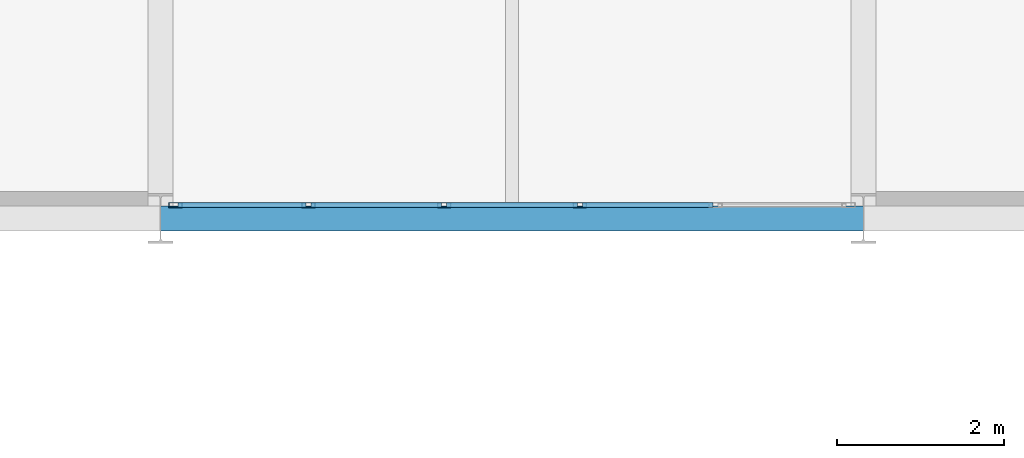
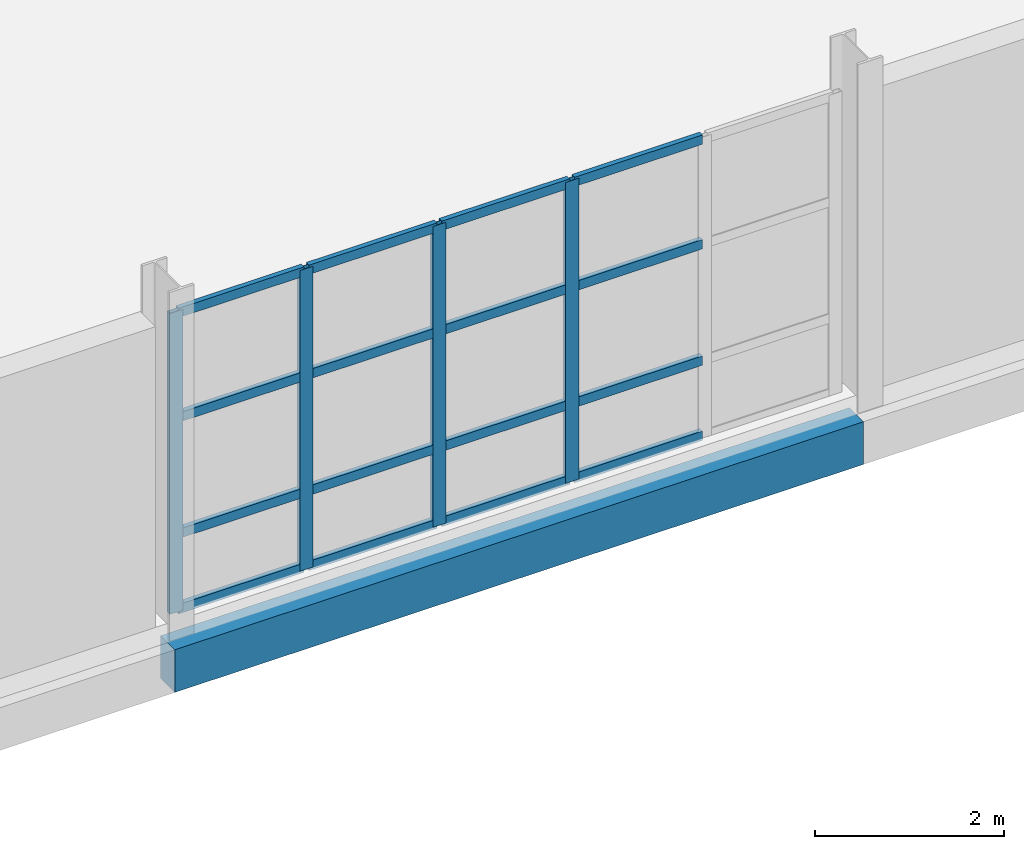
# One storey, part 62 of 109: 20 members, 1 beam, 1 element without a shape of its own.
"""IFC4 building model written with IfcOpenShell, lengths in metres."""

from ifc_helpers import new_model, si_unit, direction, frame, origin, origin_2d, place, context, subcontext, project, spatial, rectangle, hollow_rectangle, extrude, material, material_profile, profile_set, type_object, element, aggregate, save


model = new_model("IFC4")

# Units and contexts
model_context = context("Model", 3, precision=1e-05, world=origin(), true_north=direction((0.0, 1.0)))
body_context = subcontext(model_context, "Body", "Model", "MODEL_VIEW")
ifc_project = project(units=[si_unit("LENGTHUNIT", "METRE"), si_unit("AREAUNIT", "SQUARE_METRE"), si_unit("VOLUMEUNIT", "CUBIC_METRE"), si_unit("PLANEANGLEUNIT", "RADIAN"), si_unit("MASSUNIT", "GRAM", prefix="KILO")], contexts=[model_context])

# Site, building, storey
site_placement = place(None, origin())
site = spatial("IfcSite", under=ifc_project, at=site_placement, CompositionType="ELEMENT")
building_placement = place(site_placement, origin())
building = spatial("IfcBuilding", under=site, at=building_placement, Name="Veltarok Museum of Natural Sciences", CompositionType="ELEMENT")
storey_placement = place(building_placement, frame((0.0, 0.0, 17.39990234375)))
storey = spatial("IfcBuildingStorey", under=building, at=storey_placement, Name="L03", CompositionType="ELEMENT", Elevation=17.39990234375)

# Curtain wall, members
ifc_material_1 = material(Name="Low-iron triple insulated glass", Category="glass")
curtain_wall_type = type_object("IfcCurtainWallType", Name="Curtain Wall System CW-V5S-L03-16-810x388 (V5 South Lab Curtain Wall L03 16-17 810x388cm)", PredefinedType="NOTDEFINED", material=ifc_material_1)
curtain_wall_placement = place(storey_placement, origin())
curtain_wall = element("IfcCurtainWall", 1, at=curtain_wall_placement, inside=storey, type_object=curtain_wall_type, Name="Curtain Wall CW-V5S-L03-16-810x388 CW-0094", PredefinedType="NOTDEFINED")
ifc_material_2 = material(Name="Thermally broken anodised aluminium", Category="aluminium")
ifc_material_profile_1 = material_profile(ifc_material_2, hollow_rectangle(XDim=0.06005859375, YDim=0.1201171875, WallThickness=0.0048828125, at=origin_2d()), Name="CW TRANSOM 60x120x5")
ifc_profile_set_1 = profile_set([ifc_material_profile_1], Name="Thermally broken anodised aluminium")
member_type_1 = type_object("IfcMemberType", Name="Curtain Wall Horizontal Transom 60x120x5", PredefinedType="USERDEFINED", material=ifc_profile_set_1)
member_1_placement = place(storey_placement, frame((132.610107421875, 0.159912109375, 0.030029296875), z_axis=(1.0, 0.0, 0.0), x_axis=(0.0, 1.0, 0.0)))
member_1 = element("IfcMember", 2, at=member_1_placement, type_object=member_type_1, Name="CW-V5S-L03-16-810x388 transom 1.1", ObjectType="TRANSOM", PredefinedType="USERDEFINED", context=body_context, shape_type="SweptSolid", body=[
    extrude(hollow_rectangle(XDim=0.06005859375, YDim=0.1201171875, WallThickness=0.0048828125, at=origin_2d()), origin(), (0.0, 0.0, 1.0), 1.52978515625),
])
member_2_placement = place(storey_placement, frame((132.610107421875, 0.159912109375, 1.0), z_axis=(1.0, 0.0, 0.0), x_axis=(0.0, 1.0, 0.0)))
member_2 = element("IfcMember", 3, at=member_2_placement, type_object=member_type_1, Name="CW-V5S-L03-16-810x388 transom 1.2", ObjectType="TRANSOM", PredefinedType="USERDEFINED", context=body_context, shape_type="SweptSolid", body=[
    extrude(hollow_rectangle(XDim=0.06005859375, YDim=0.1201171875, WallThickness=0.0048828125, at=origin_2d()), origin(), (0.0, 0.0, 1.0), 1.52978515625),
])
member_3_placement = place(storey_placement, frame((132.610107421875, 0.159912109375, 2.5), z_axis=(1.0, 0.0, 0.0), x_axis=(0.0, 1.0, 0.0)))
member_3 = element("IfcMember", 4, at=member_3_placement, type_object=member_type_1, Name="CW-V5S-L03-16-810x388 transom 1.3", ObjectType="TRANSOM", PredefinedType="USERDEFINED", context=body_context, shape_type="SweptSolid", body=[
    extrude(hollow_rectangle(XDim=0.06005859375, YDim=0.1201171875, WallThickness=0.0048828125, at=origin_2d()), origin(), (0.0, 0.0, 1.0), 1.52978515625),
])
member_4_placement = place(storey_placement, frame((132.610107421875, 0.159912109375, 3.85009765625), z_axis=(1.0, 0.0, 0.0), x_axis=(0.0, 1.0, 0.0)))
member_4 = element("IfcMember", 5, at=member_4_placement, type_object=member_type_1, Name="CW-V5S-L03-16-810x388 transom 1.4", ObjectType="TRANSOM", PredefinedType="USERDEFINED", context=body_context, shape_type="SweptSolid", body=[
    extrude(hollow_rectangle(XDim=0.06005859375, YDim=0.1201171875, WallThickness=0.0048828125, at=origin_2d()), origin(), (0.0, 0.0, 1.0), 1.52978515625),
])
member_5_placement = place(storey_placement, frame((134.199951171875, 0.159912109375, 0.030029296875), z_axis=(1.0, 0.0, 0.0), x_axis=(0.0, 1.0, 0.0)))
member_5 = element("IfcMember", 6, at=member_5_placement, type_object=member_type_1, Name="CW-V5S-L03-16-810x388 transom 2.1", ObjectType="TRANSOM", PredefinedType="USERDEFINED", context=body_context, shape_type="SweptSolid", body=[
    extrude(hollow_rectangle(XDim=0.06005859375, YDim=0.1201171875, WallThickness=0.0048828125, at=origin_2d()), origin(), (0.0, 0.0, 1.0), 1.56005859375),
])
member_6_placement = place(storey_placement, frame((134.199951171875, 0.159912109375, 1.0), z_axis=(1.0, 0.0, 0.0), x_axis=(0.0, 1.0, 0.0)))
member_6 = element("IfcMember", 7, at=member_6_placement, type_object=member_type_1, Name="CW-V5S-L03-16-810x388 transom 2.2", ObjectType="TRANSOM", PredefinedType="USERDEFINED", context=body_context, shape_type="SweptSolid", body=[
    extrude(hollow_rectangle(XDim=0.06005859375, YDim=0.1201171875, WallThickness=0.0048828125, at=origin_2d()), origin(), (0.0, 0.0, 1.0), 1.56005859375),
])
member_7_placement = place(storey_placement, frame((134.199951171875, 0.159912109375, 2.5), z_axis=(1.0, 0.0, 0.0), x_axis=(0.0, 1.0, 0.0)))
member_7 = element("IfcMember", 8, at=member_7_placement, type_object=member_type_1, Name="CW-V5S-L03-16-810x388 transom 2.3", ObjectType="TRANSOM", PredefinedType="USERDEFINED", context=body_context, shape_type="SweptSolid", body=[
    extrude(hollow_rectangle(XDim=0.06005859375, YDim=0.1201171875, WallThickness=0.0048828125, at=origin_2d()), origin(), (0.0, 0.0, 1.0), 1.56005859375),
])
member_8_placement = place(storey_placement, frame((134.199951171875, 0.159912109375, 3.85009765625), z_axis=(1.0, 0.0, 0.0), x_axis=(0.0, 1.0, 0.0)))
member_8 = element("IfcMember", 9, at=member_8_placement, type_object=member_type_1, Name="CW-V5S-L03-16-810x388 transom 2.4", ObjectType="TRANSOM", PredefinedType="USERDEFINED", context=body_context, shape_type="SweptSolid", body=[
    extrude(hollow_rectangle(XDim=0.06005859375, YDim=0.1201171875, WallThickness=0.0048828125, at=origin_2d()), origin(), (0.0, 0.0, 1.0), 1.56005859375),
])
member_9_placement = place(storey_placement, frame((135.820068359375, 0.159912109375, 0.030029296875), z_axis=(1.0, 0.0, 0.0), x_axis=(0.0, 1.0, 0.0)))
member_9 = element("IfcMember", 10, at=member_9_placement, type_object=member_type_1, Name="CW-V5S-L03-16-810x388 transom 3.1", ObjectType="TRANSOM", PredefinedType="USERDEFINED", context=body_context, shape_type="SweptSolid", body=[
    extrude(hollow_rectangle(XDim=0.06005859375, YDim=0.1201171875, WallThickness=0.0048828125, at=origin_2d()), origin(), (0.0, 0.0, 1.0), 1.559814453125),
])
member_10_placement = place(storey_placement, frame((135.820068359375, 0.159912109375, 1.0), z_axis=(1.0, 0.0, 0.0), x_axis=(0.0, 1.0, 0.0)))
member_10 = element("IfcMember", 11, at=member_10_placement, type_object=member_type_1, Name="CW-V5S-L03-16-810x388 transom 3.2", ObjectType="TRANSOM", PredefinedType="USERDEFINED", context=body_context, shape_type="SweptSolid", body=[
    extrude(hollow_rectangle(XDim=0.06005859375, YDim=0.1201171875, WallThickness=0.0048828125, at=origin_2d()), origin(), (0.0, 0.0, 1.0), 1.559814453125),
])
member_11_placement = place(storey_placement, frame((135.820068359375, 0.159912109375, 2.5), z_axis=(1.0, 0.0, 0.0), x_axis=(0.0, 1.0, 0.0)))
member_11 = element("IfcMember", 12, at=member_11_placement, type_object=member_type_1, Name="CW-V5S-L03-16-810x388 transom 3.3", ObjectType="TRANSOM", PredefinedType="USERDEFINED", context=body_context, shape_type="SweptSolid", body=[
    extrude(hollow_rectangle(XDim=0.06005859375, YDim=0.1201171875, WallThickness=0.0048828125, at=origin_2d()), origin(), (0.0, 0.0, 1.0), 1.559814453125),
])
member_12_placement = place(storey_placement, frame((135.820068359375, 0.159912109375, 3.85009765625), z_axis=(1.0, 0.0, 0.0), x_axis=(0.0, 1.0, 0.0)))
member_12 = element("IfcMember", 13, at=member_12_placement, type_object=member_type_1, Name="CW-V5S-L03-16-810x388 transom 3.4", ObjectType="TRANSOM", PredefinedType="USERDEFINED", context=body_context, shape_type="SweptSolid", body=[
    extrude(hollow_rectangle(XDim=0.06005859375, YDim=0.1201171875, WallThickness=0.0048828125, at=origin_2d()), origin(), (0.0, 0.0, 1.0), 1.559814453125),
])
member_13_placement = place(storey_placement, frame((137.43994140625, 0.159912109375, 0.030029296875), z_axis=(1.0, 0.0, 0.0), x_axis=(0.0, 1.0, 0.0)))
member_13 = element("IfcMember", 14, at=member_13_placement, type_object=member_type_1, Name="CW-V5S-L03-16-810x388 transom 4.1", ObjectType="TRANSOM", PredefinedType="USERDEFINED", context=body_context, shape_type="SweptSolid", body=[
    extrude(hollow_rectangle(XDim=0.06005859375, YDim=0.1201171875, WallThickness=0.0048828125, at=origin_2d()), origin(), (0.0, 0.0, 1.0), 1.56005859375),
])
member_14_placement = place(storey_placement, frame((137.43994140625, 0.159912109375, 1.0), z_axis=(1.0, 0.0, 0.0), x_axis=(0.0, 1.0, 0.0)))
member_14 = element("IfcMember", 15, at=member_14_placement, type_object=member_type_1, Name="CW-V5S-L03-16-810x388 transom 4.2", ObjectType="TRANSOM", PredefinedType="USERDEFINED", context=body_context, shape_type="SweptSolid", body=[
    extrude(hollow_rectangle(XDim=0.06005859375, YDim=0.1201171875, WallThickness=0.0048828125, at=origin_2d()), origin(), (0.0, 0.0, 1.0), 1.56005859375),
])
member_15_placement = place(storey_placement, frame((137.43994140625, 0.159912109375, 2.5), z_axis=(1.0, 0.0, 0.0), x_axis=(0.0, 1.0, 0.0)))
member_15 = element("IfcMember", 16, at=member_15_placement, type_object=member_type_1, Name="CW-V5S-L03-16-810x388 transom 4.3", ObjectType="TRANSOM", PredefinedType="USERDEFINED", context=body_context, shape_type="SweptSolid", body=[
    extrude(hollow_rectangle(XDim=0.06005859375, YDim=0.1201171875, WallThickness=0.0048828125, at=origin_2d()), origin(), (0.0, 0.0, 1.0), 1.56005859375),
])
member_16_placement = place(storey_placement, frame((137.43994140625, 0.159912109375, 3.85009765625), z_axis=(1.0, 0.0, 0.0), x_axis=(0.0, 1.0, 0.0)))
member_16 = element("IfcMember", 17, at=member_16_placement, type_object=member_type_1, Name="CW-V5S-L03-16-810x388 transom 4.4", ObjectType="TRANSOM", PredefinedType="USERDEFINED", context=body_context, shape_type="SweptSolid", body=[
    extrude(hollow_rectangle(XDim=0.06005859375, YDim=0.1201171875, WallThickness=0.0048828125, at=origin_2d()), origin(), (0.0, 0.0, 1.0), 1.56005859375),
])
ifc_material_profile_2 = material_profile(ifc_material_2, hollow_rectangle(XDim=0.06005859375, YDim=0.159912109375, WallThickness=0.0048828125, at=origin_2d()), Name="CW MULLION 60x160x5")
ifc_profile_set_2 = profile_set([ifc_material_profile_2], Name="Thermally broken anodised aluminium")
member_type_2 = type_object("IfcMemberType", Name="Curtain Wall Vertical Mullion 60x160x5", PredefinedType="MULLION", material=ifc_profile_set_2)
member_17_placement = place(storey_placement, frame((132.580078125, 0.159912109375, 0.0), z_axis=(0.0, 0.0, 1.0), x_axis=(0.0, 1.0, 0.0)))
member_17 = element("IfcMember", 18, at=member_17_placement, type_object=member_type_2, Name="CW-V5S-L03-16-810x388 mullion 1", PredefinedType="MULLION", context=body_context, shape_type="SweptSolid", body=[
    extrude(hollow_rectangle(XDim=0.06005859375, YDim=0.159912109375, WallThickness=0.0048828125, at=origin_2d()), origin(), (0.0, 0.0, 1.0), 3.880126953125),
])
member_18_placement = place(storey_placement, frame((134.169921875, 0.159912109375, 0.0), z_axis=(0.0, 0.0, 1.0), x_axis=(0.0, 1.0, 0.0)))
member_18 = element("IfcMember", 19, at=member_18_placement, type_object=member_type_2, Name="CW-V5S-L03-16-810x388 mullion 2", PredefinedType="MULLION", context=body_context, shape_type="SweptSolid", body=[
    extrude(hollow_rectangle(XDim=0.06005859375, YDim=0.159912109375, WallThickness=0.0048828125, at=origin_2d()), origin(), (0.0, 0.0, 1.0), 3.880126953125),
])
member_19_placement = place(storey_placement, frame((135.7900390625, 0.159912109375, 0.0), z_axis=(0.0, 0.0, 1.0), x_axis=(0.0, 1.0, 0.0)))
member_19 = element("IfcMember", 20, at=member_19_placement, type_object=member_type_2, Name="CW-V5S-L03-16-810x388 mullion 3", PredefinedType="MULLION", context=body_context, shape_type="SweptSolid", body=[
    extrude(hollow_rectangle(XDim=0.06005859375, YDim=0.159912109375, WallThickness=0.0048828125, at=origin_2d()), origin(), (0.0, 0.0, 1.0), 3.880126953125),
])
member_20_placement = place(storey_placement, frame((137.409912109375, 0.159912109375, 0.0), z_axis=(0.0, 0.0, 1.0), x_axis=(0.0, 1.0, 0.0)))
member_20 = element("IfcMember", 21, at=member_20_placement, type_object=member_type_2, Name="CW-V5S-L03-16-810x388 mullion 4", PredefinedType="MULLION", context=body_context, shape_type="SweptSolid", body=[
    extrude(hollow_rectangle(XDim=0.06005859375, YDim=0.159912109375, WallThickness=0.0048828125, at=origin_2d()), origin(), (0.0, 0.0, 1.0), 3.880126953125),
])
aggregate(curtain_wall, [member_17, member_18, member_19, member_20, member_1, member_2, member_3, member_4, member_5, member_6, member_7, member_8, member_9, member_10, member_11, member_12, member_13, member_14, member_15, member_16])

# Beam
ifc_material_3 = material(Name="Precast concrete C40/50", Category="concrete")
ifc_material_profile_3 = material_profile(ifc_material_3, rectangle(XDim=0.300048828125, YDim=0.550048828125, at=origin_2d()), Name="RC 300x550")
ifc_profile_set_3 = profile_set([ifc_material_profile_3], Name="Precast concrete C40/50")
beam_type = type_object("IfcBeamType", Name="East Wing Precast Spandrel RC 300x550", PredefinedType="SPANDREL", material=ifc_profile_set_3)
beam_placement = place(storey_placement, frame((132.39990234375, 0.0, -0.52490234375), z_axis=(1.0, 0.0, 0.0), x_axis=(0.0, 1.0, 0.0)))
element("IfcBeam", 22, at=beam_placement, inside=storey, type_object=beam_type, Name="Beam BM-SP02 L03 16-17/A", PredefinedType="SPANDREL", context=body_context, shape_type="SweptSolid", body=[
    extrude(rectangle(XDim=0.300048828125, YDim=0.550048828125, at=origin_2d()), origin(), (0.0, 0.0, 1.0), 8.400146484375),
])

save(model, "model.ifc")
